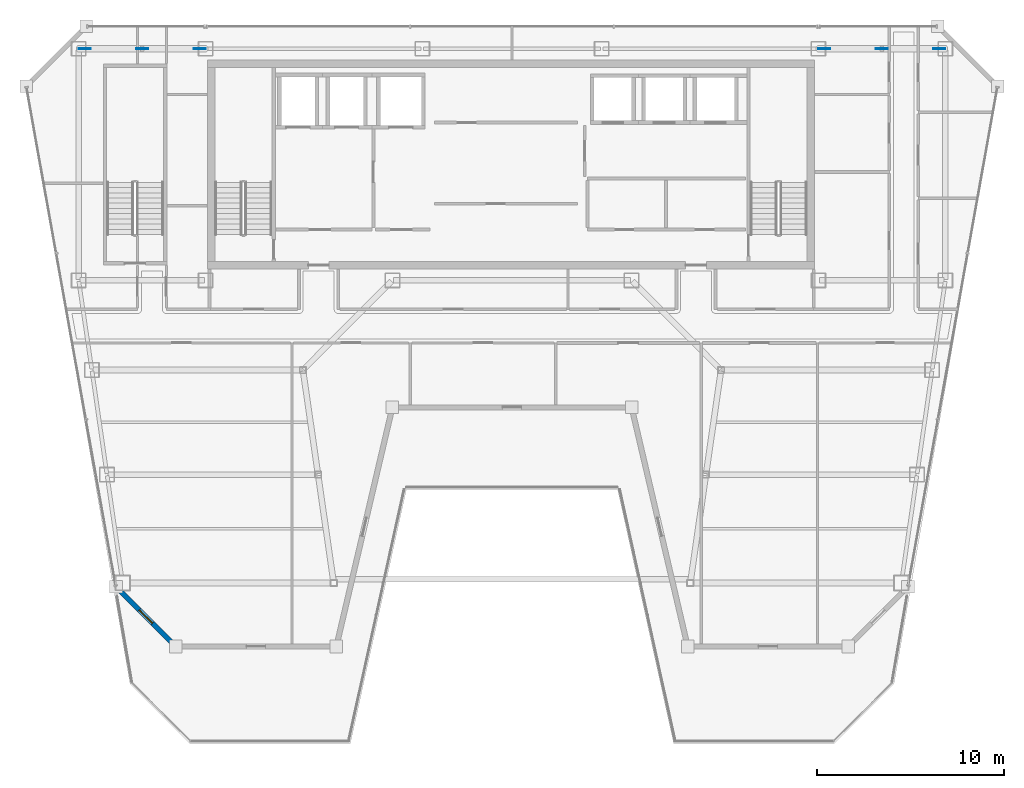
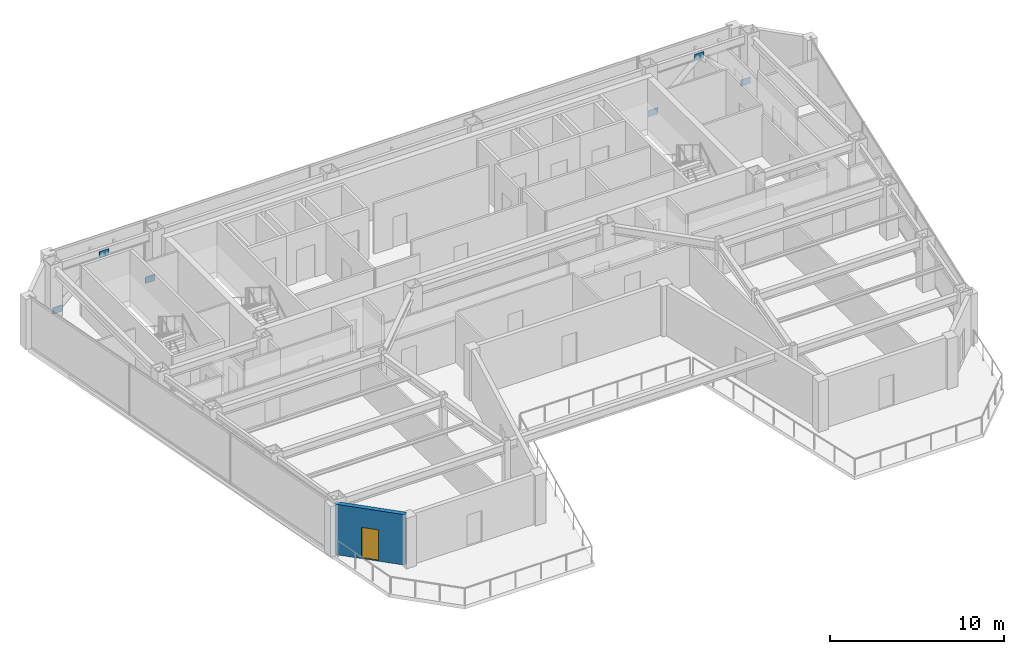
# One storey, part 19 of 28: 6 plates, 1 door, 1 wall, 1 opening.
"""IFC4 building model written with IfcOpenShell, lengths in metres."""

from ifc_helpers import new_model, si_unit, direction, frame, frame_2d, origin, origin_2d, place, context, subcontext, project, spatial, rectangle, extrude, material, layer, layer_set, type_object, element, fill, save


model = new_model("IFC4")

# Units and contexts
model_context = context("Model", 3, precision=1e-05, world=origin(), true_north=direction((0.0, 1.0)))
body_context = subcontext(model_context, "Body", "Model", "MODEL_VIEW")
ifc_project = project(units=[si_unit("LENGTHUNIT", "METRE"), si_unit("AREAUNIT", "SQUARE_METRE"), si_unit("VOLUMEUNIT", "CUBIC_METRE"), si_unit("PLANEANGLEUNIT", "RADIAN"), si_unit("MASSUNIT", "GRAM", prefix="KILO")], contexts=[model_context])

# Site, building, storey
site_placement = place(None, origin())
site = spatial("IfcSite", under=ifc_project, at=site_placement, CompositionType="ELEMENT")
building_placement = place(site_placement, origin())
building = spatial("IfcBuilding", under=site, at=building_placement, Name="Saevonmaru Cultural Tower", CompositionType="ELEMENT")
storey_placement = place(building_placement, frame((0.0, 0.0, 253.39990234375)))
storey = spatial("IfcBuildingStorey", under=building, at=storey_placement, Name="L59", CompositionType="ELEMENT", Elevation=253.39990234375)

# Plates
ifc_material_1 = material(Name="Steel HSA600 (600 MPa)", Category="steel")
ifc_layer_1 = layer(ifc_material_1, 0.0400390625, Name="Steel HSA600 (600 MPa)")
ifc_layer_set_1 = layer_set([ifc_layer_1], Name="Steel HSA600 (600 MPa)")
plate_type = type_object("IfcPlateType", Name="PL-GUSSET-EXT", PredefinedType="USERDEFINED", material=ifc_layer_set_1)
for number, where, z_axis, x_axis, name in (
    (1, (10.199951171875, 54.800048828125, 2.900146484375), (0.0, 0.0, 1.0), (1.0, 0.0, 0.0), "L59 Perimeter Tube Gusset Plate"),
    (2, (7.1201171875, 54.800048828125, 0.02001953125), (0.0, 0.0, 1.0), (1.0, 0.0, 0.0), "L59 Perimeter Tube Gusset Plate"),
    (3, (13.280029296875, 54.800048828125, 0.02001953125), (0.0, 0.0, 1.0), (1.0, 0.0, 0.0), "L59 Perimeter Tube Gusset Plate"),
    (4, (49.800048828125, 54.800048828125, 2.900146484375), (0.0, 0.0, 1.0), (1.0, 0.0, 0.0), "L59 Perimeter Tube Gusset Plate"),
    (5, (46.719970703125, 54.800048828125, 0.02001953125), (0.0, 0.0, 1.0), (1.0, 0.0, 0.0), "L59 Perimeter Tube Gusset Plate"),
    (6, (52.8798828125, 54.800048828125, 0.02001953125), (0.0, 0.0, 1.0), (1.0, 0.0, 0.0), "L59 Perimeter Tube Gusset Plate"),
):
    element("IfcPlate", number, at=place(storey_placement, frame(where, z_axis=z_axis, x_axis=x_axis)), inside=storey, type_object=plate_type, Name=name, ObjectType="GUSSET_PLATE", PredefinedType="USERDEFINED", context=body_context, shape_type="SweptSolid", body=[
        extrude(rectangle(XDim=0.639892578125, YDim=0.0400390625, at=origin_2d()), origin(), (0.0, 0.0, 1.0), 0.43994140625),
    ])

# Wall, opening, door
ifc_material_2 = material(Name="Granite-Clad Precast Concrete C40/50", Category="masonry")
ifc_layer_2 = layer(ifc_material_2, 0.280029296875, Name="Granite-Clad Precast Concrete C40/50")
ifc_layer_set_2 = layer_set([ifc_layer_2], Name="Granite-Clad Precast Concrete C40/50")
wall_type = type_object("IfcWallType", Name="WL-EXT-SPANDREL-280", PredefinedType="STANDARD", material=ifc_layer_set_2)
wall_placement = place(storey_placement, frame((8.90869140625, 25.886962890625, 0.0), z_axis=(0.0, 0.0, 1.0), x_axis=(0.707106781187, -0.707106781187, 0.0)))
wall = element("IfcWall", 7, at=wall_placement, inside=storey, type_object=wall_type, Name="L59 Setback Terrace Portal Wall E1", PredefinedType="STANDARD", context=body_context, shape_type="SweptSolid", body=[
    extrude(rectangle(XDim=4.205810546875, YDim=0.280029296875, at=frame_2d((2.10302734375, 0.0))), origin(), (0.0, 0.0, 1.0), 3.550048828125),
])
opening_placement = place(wall_placement, frame((1.60302734375, 0.0, 0.0)))
opening = element("IfcOpeningElement", 8, at=opening_placement, cuts=wall, Name="Opening TD-2", PredefinedType="OPENING", context=body_context, shape_type="SweptSolid", body=[
    extrude(rectangle(XDim=1.0, YDim=2.199951171875, at=frame_2d((0.5, 1.10009765625))), frame((0.0, 0.14990234375, 0.0), z_axis=(0.0, -1.0, 0.0), x_axis=(1.0, 0.0, 0.0)), (0.0, 0.0, 1.0), 0.300048828125),
])
ifc_material_3 = material(Name="Satin Bronze Anodised Aluminium", Category="aluminium")
door_type = type_object("IfcDoorType", Name="DR-TERR-1000", OperationType="SINGLE_SWING_RIGHT", PredefinedType="DOOR", material=ifc_material_3)
door_placement = place(opening_placement, origin())
door = element("IfcDoor", 9, at=door_placement, inside=storey, type_object=door_type, Name="L59 Sawtooth Roof Terrace Door E1", OperationType="SINGLE_SWING_RIGHT", OverallHeight=2.199951171875, OverallWidth=1.0, PredefinedType="DOOR", context=body_context, shape_type="SweptSolid", body=[
    extrude(rectangle(XDim=1.0, YDim=2.199951171875, at=frame_2d((0.5, 1.10009765625))), frame((0.0, 0.02490234375, 0.0), z_axis=(0.0, -1.0, 0.0), x_axis=(1.0, 0.0, 0.0)), (0.0, 0.0, 1.0), 0.050048828125),
])
fill(opening, door)

save(model, "model.ifc")
